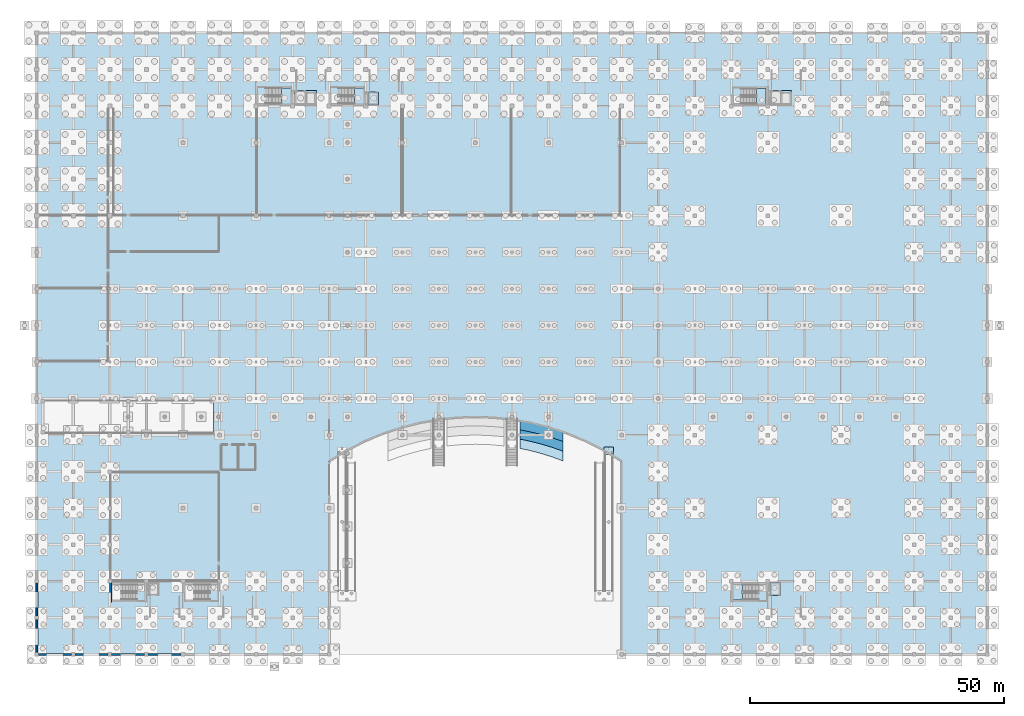
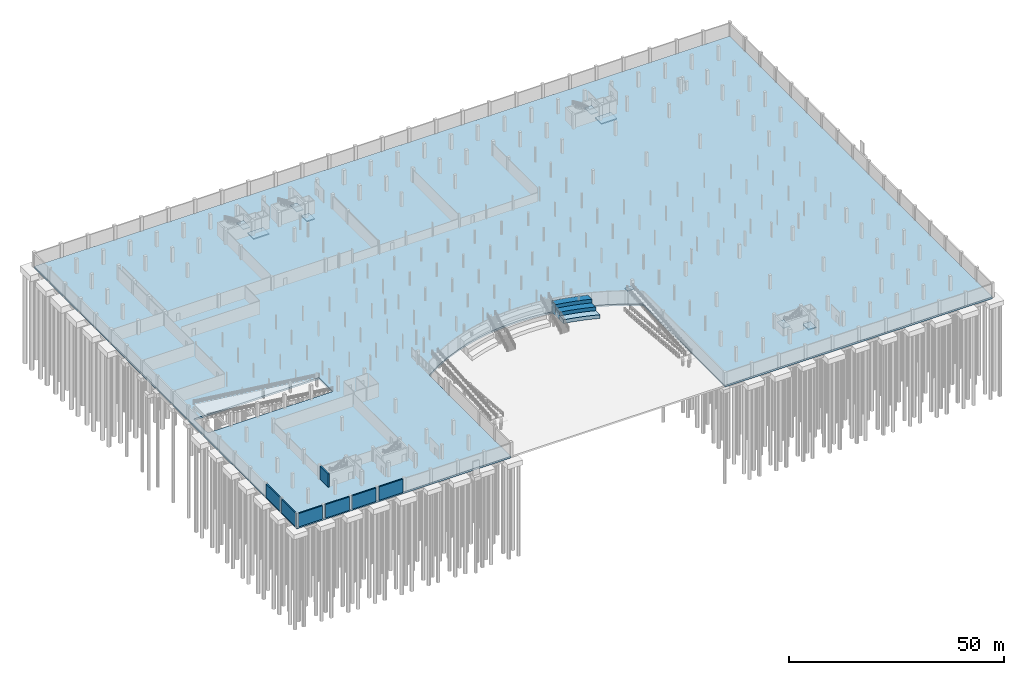
# One storey, part 38 of 56: 13 slabs, 7 walls, 5 elements without a shape of their own.
"""IFC4 building model written with IfcOpenShell, lengths in metres."""

from ifc_helpers import new_model, si_unit, direction, frame, frame_2d, origin, place, context, subcontext, project, spatial, polyline, rectangle, outline, extrude, material, layer, layer_set, type_object, element, aggregate, save


model = new_model("IFC4")

# Units and contexts
model_context = context("Model", 3, precision=1e-05, world=origin(), true_north=direction((0.0, 1.0)))
body_context = subcontext(model_context, "Body", "Model", "MODEL_VIEW")
ifc_project = project(units=[si_unit("LENGTHUNIT", "METRE"), si_unit("AREAUNIT", "SQUARE_METRE"), si_unit("VOLUMEUNIT", "CUBIC_METRE"), si_unit("PLANEANGLEUNIT", "RADIAN"), si_unit("MASSUNIT", "GRAM", prefix="KILO")], contexts=[model_context])

# Site, building, storey
site_placement = place(None, origin())
site = spatial("IfcSite", under=ifc_project, at=site_placement, CompositionType="ELEMENT")
building_placement = place(site_placement, origin())
building = spatial("IfcBuilding", under=site, at=building_placement, Name="Suanplinth Sawtooth Commons", CompositionType="ELEMENT")
storey_placement = place(building_placement, frame((0.0, 0.0, -4.199951171875)))
storey = spatial("IfcBuildingStorey", under=building, at=storey_placement, Name="B1", CompositionType="ELEMENT", Elevation=-4.199951171875)

# Slabs
ifc_material_1 = material(Name="Concrete C35/45", Category="concrete")
ifc_layer_1 = layer(ifc_material_1, 0.5, Name="Pile-supported basement base slab 500mm")
ifc_layer_set_1 = layer_set([ifc_layer_1], Name="Concrete C35/45")
slab_type_1 = type_object("IfcSlabType", Name="S-BS01", PredefinedType="BASESLAB", material=ifc_layer_set_1)
slab_1_placement = place(storey_placement, frame((0.0, 0.0, -0.5)))
element("IfcSlab", 1, at=slab_1_placement, inside=storey, type_object=slab_type_1, Name="Basement B1 Structural Base Slab", PredefinedType="BASESLAB", context=body_context, shape_type="SweptSolid", body=[
    extrude(outline(polyline([(0.0, 0.0), (57.60009765625, 0.0), (57.60009765625, 38.095947265625), (61.199951171875, 40.285888671875), (64.800048828125, 42.10205078125), (68.39990234375, 43.5849609375), (72.0, 44.76611328125), (75.60009765625, 45.666015625), (79.199951171875, 46.299072265625), (82.800048828125, 46.675048828125), (86.39990234375, 46.800048828125), (90.0, 46.675048828125), (93.60009765625, 46.299072265625), (97.199951171875, 45.666015625), (100.800048828125, 44.76611328125), (104.39990234375, 43.5849609375), (108.0, 42.10205078125), (111.60009765625, 40.285888671875), (115.199951171875, 38.095947265625), (115.199951171875, 0.0), (187.199951171875, 0.0), (187.199951171875, 122.39990234375), (0.0, 122.39990234375), (0.0, 0.0)]), holes=[polyline([(1.199951171875, 43.550048828125), (34.800048828125, 43.550048828125), (34.800048828125, 50.050048828125), (1.199951171875, 50.050048828125), (1.199951171875, 43.550048828125)])]), origin(), (0.0, 0.0, 1.0), 0.5),
])
ifc_layer_2 = layer(ifc_material_1, 0.449951171875, Name="Sunken metro forecourt external plaza slab 450mm")
ifc_layer_set_2 = layer_set([ifc_layer_2], Name="Concrete C35/45")
slab_type_2 = type_object("IfcSlabType", Name="S-BS03", PredefinedType="BASESLAB", material=ifc_layer_set_2)
slab_2_placement = place(storey_placement, origin())
element("IfcSlab", 2, at=slab_2_placement, inside=storey, type_object=slab_type_2, Name="Forecourt Amphitheatre Stepped Terrace Tier 1 E", PredefinedType="BASESLAB", context=body_context, shape_type="SweptSolid", body=[
    extrude(outline(polyline([(95.199951171875, 44.222900390625), (97.300048828125, 43.802001953125), (99.39990234375, 43.2880859375), (101.5, 42.675048828125), (103.60009765625, 41.9609375), (103.60009765625, 43.873046875), (101.5, 44.55908203125), (99.39990234375, 45.14892578125), (97.300048828125, 45.64501953125), (95.199951171875, 46.050048828125), (95.199951171875, 44.222900390625)])), origin(), (0.0, 0.0, 1.0), 3.14990234375),
])
slab_3_placement = place(storey_placement, origin())
element("IfcSlab", 3, at=slab_3_placement, inside=storey, type_object=slab_type_2, Name="Forecourt Amphitheatre Stepped Terrace Tier 2 E", PredefinedType="BASESLAB", context=body_context, shape_type="SweptSolid", body=[
    extrude(outline(polyline([(95.199951171875, 42.39306640625), (97.300048828125, 41.95703125), (99.39990234375, 41.4208984375), (101.5, 40.783935546875), (103.60009765625, 40.041015625), (103.60009765625, 41.9609375), (101.5, 42.675048828125), (99.39990234375, 43.2880859375), (97.300048828125, 43.802001953125), (95.199951171875, 44.222900390625), (95.199951171875, 42.39306640625)])), origin(), (0.0, 0.0, 1.0), 2.099853515625),
])
slab_4_placement = place(storey_placement, origin())
element("IfcSlab", 4, at=slab_4_placement, inside=storey, type_object=slab_type_2, Name="Forecourt Amphitheatre Stepped Terrace Tier 3 E", PredefinedType="BASESLAB", context=body_context, shape_type="SweptSolid", body=[
    extrude(outline(polyline([(95.199951171875, 40.56201171875), (97.300048828125, 40.10693359375), (99.39990234375, 39.550048828125), (101.5, 38.885986328125), (103.60009765625, 38.110107421875), (103.60009765625, 40.041015625), (101.5, 40.783935546875), (99.39990234375, 41.4208984375), (97.300048828125, 41.95703125), (95.199951171875, 42.39306640625), (95.199951171875, 40.56201171875)])), origin(), (0.0, 0.0, 1.0), 1.050048828125),
])

# Stair, slab
ifc_material_2 = material(Name="Concrete C40/50", Category="concrete")
stair_type_1 = type_object("IfcStairType", Name="ST-01", PredefinedType="USERDEFINED", material=ifc_material_2)
stair_1_placement = place(storey_placement, origin())
stair_1 = element("IfcStair", 5, at=stair_1_placement, inside=storey, type_object=stair_type_1, Name="B1 Exit Stair ST-N1", ObjectType="TWO_RETURN_STAIR", PredefinedType="USERDEFINED")
ifc_layer_3 = layer(ifc_material_2, 0.199951171875, Name="Reinforced concrete stair and ramp landing slab 200mm")
ifc_layer_set_3 = layer_set([ifc_layer_3], Name="Concrete C40/50")
slab_type_3 = type_object("IfcSlabType", Name="S-LD01", PredefinedType="LANDING", material=ifc_layer_set_3)
slab_5_placement = place(storey_placement, frame((0.0, 0.0, 1.89990234375)))
slab_5 = element("IfcSlab", 6, at=slab_5_placement, type_object=slab_type_3, Name="ST-01 landing 1", PredefinedType="LANDING", context=body_context, shape_type="SweptSolid", body=[
    extrude(outline(polyline([(48.18505859375, 108.449951171875), (50.050048828125, 108.449951171875), (50.050048828125, 111.550048828125), (48.18505859375, 111.550048828125), (48.18505859375, 108.449951171875)])), origin(), (0.0, 0.0, 1.0), 0.199951171875),
])
aggregate(stair_1, [slab_5])

stair_2_placement = place(storey_placement, origin())
stair_2 = element("IfcStair", 7, at=stair_2_placement, inside=storey, type_object=stair_type_1, Name="B1 Exit Stair ST-N2", ObjectType="TWO_RETURN_STAIR", PredefinedType="USERDEFINED")
slab_6_placement = place(storey_placement, frame((0.0, 0.0, 1.89990234375)))
slab_6 = element("IfcSlab", 8, at=slab_6_placement, type_object=slab_type_3, Name="ST-01 landing 1", PredefinedType="LANDING", context=body_context, shape_type="SweptSolid", body=[
    extrude(outline(polyline([(62.5849609375, 108.449951171875), (64.449951171875, 108.449951171875), (64.449951171875, 111.550048828125), (62.5849609375, 111.550048828125), (62.5849609375, 108.449951171875)])), origin(), (0.0, 0.0, 1.0), 0.199951171875),
])
aggregate(stair_2, [slab_6])

stair_type_2 = type_object("IfcStairType", Name="ST-05", PredefinedType="USERDEFINED", material=ifc_material_2)
stair_3_placement = place(storey_placement, origin())
stair_3 = element("IfcStair", 9, at=stair_3_placement, inside=storey, type_object=stair_type_2, Name="B1 Exit Stair ST-E1", ObjectType="TWO_RETURN_STAIR", PredefinedType="USERDEFINED")
slab_7_placement = place(storey_placement, frame((0.0, 0.0, 1.89990234375)))
slab_7 = element("IfcSlab", 10, at=slab_7_placement, type_object=slab_type_3, Name="ST-05 landing 1", PredefinedType="LANDING", context=body_context, shape_type="SweptSolid", body=[
    extrude(outline(polyline([(141.784912109375, 108.449951171875), (143.64990234375, 108.449951171875), (143.64990234375, 111.449951171875), (141.784912109375, 111.449951171875), (141.784912109375, 108.449951171875)])), origin(), (0.0, 0.0, 1.0), 0.199951171875),
])
aggregate(stair_3, [slab_7])

stair_4_placement = place(storey_placement, origin())
stair_4 = element("IfcStair", 11, at=stair_4_placement, inside=storey, type_object=stair_type_2, Name="B1 Exit Stair ST-S1", ObjectType="TWO_RETURN_STAIR", PredefinedType="USERDEFINED")
slab_8_placement = place(storey_placement, frame((0.0, 0.0, 1.89990234375)))
slab_8 = element("IfcSlab", 12, at=slab_8_placement, type_object=slab_type_3, Name="ST-05 landing 1", PredefinedType="LANDING", context=body_context, shape_type="SweptSolid", body=[
    extrude(outline(polyline([(139.014892578125, 13.75), (137.14990234375, 13.75), (137.14990234375, 10.75), (139.014892578125, 10.75), (139.014892578125, 13.75)])), origin(), (0.0, 0.0, 1.0), 0.199951171875),
])
aggregate(stair_4, [slab_8])

# Ramp, slab
ramp_type = type_object("IfcRampType", Name="RM-02", PredefinedType="STRAIGHT_RUN_RAMP", material=ifc_material_1)
ramp_placement = place(storey_placement, origin())
ramp = element("IfcRamp", 13, at=ramp_placement, inside=storey, type_object=ramp_type, Name="Sunken Forecourt Accessible Ramp AR-02", PredefinedType="STRAIGHT_RUN_RAMP")
ifc_layer_4 = layer(ifc_material_2, 0.18994140625, Name="Exterior reinforced concrete forecourt landing slab 190mm")
ifc_layer_set_4 = layer_set([ifc_layer_4], Name="Concrete C40/50")
slab_type_4 = type_object("IfcSlabType", Name="S-LD02", PredefinedType="LANDING", material=ifc_layer_set_4)
slab_9_placement = place(storey_placement, frame((0.0, 0.0, 4.010009765625)))
slab_9 = element("IfcSlab", 14, at=slab_9_placement, type_object=slab_type_4, Name="Accessible Ramp AR-02 Top Arrival Landing", PredefinedType="LANDING", context=body_context, shape_type="SweptSolid", body=[
    extrude(outline(polyline([(111.75, 39.338134765625), (113.550048828125, 39.338134765625), (113.550048828125, 40.838134765625), (111.75, 40.838134765625), (111.75, 39.338134765625)])), origin(), (0.0, 0.0, 1.0), 0.18994140625),
])
aggregate(ramp, [slab_9])

# Slabs
ifc_layer_5 = layer(ifc_material_1, 0.320068359375, Name="Waterproof reinforced concrete lift pit base slab 320mm")
ifc_layer_set_5 = layer_set([ifc_layer_5], Name="Concrete C35/45")
slab_type_5 = type_object("IfcSlabType", Name="S-PT01", PredefinedType="BASESLAB", material=ifc_layer_set_5)
slab_10_placement = place(storey_placement, frame((0.0, 0.0, -1.670166015625)))
element("IfcSlab", 15, at=slab_10_placement, inside=storey, type_object=slab_type_5, Name="Lift Pit Base Slab FL1-LF1", PredefinedType="BASESLAB", context=body_context, shape_type="SweptSolid", body=[
    extrude(outline(polyline([(50.800048828125, 108.199951171875), (55.050048828125, 108.199951171875), (55.050048828125, 111.10009765625), (50.800048828125, 111.10009765625), (50.800048828125, 108.199951171875)])), origin(), (0.0, 0.0, 1.0), 0.320068359375),
])
slab_11_placement = place(storey_placement, frame((0.0, 0.0, -1.670166015625)))
element("IfcSlab", 16, at=slab_11_placement, inside=storey, type_object=slab_type_5, Name="Lift Pit Base Slab LF2", PredefinedType="BASESLAB", context=body_context, shape_type="SweptSolid", body=[
    extrude(outline(polyline([(65.199951171875, 108.199951171875), (67.300048828125, 108.199951171875), (67.300048828125, 110.800048828125), (65.199951171875, 110.800048828125), (65.199951171875, 108.199951171875)])), origin(), (0.0, 0.0, 1.0), 0.320068359375),
])
slab_12_placement = place(storey_placement, frame((0.0, 0.0, -1.670166015625)))
element("IfcSlab", 17, at=slab_12_placement, inside=storey, type_object=slab_type_5, Name="Lift Pit Base Slab FL2-LF3", PredefinedType="BASESLAB", context=body_context, shape_type="SweptSolid", body=[
    extrude(outline(polyline([(144.39990234375, 108.199951171875), (148.64990234375, 108.199951171875), (148.64990234375, 111.10009765625), (144.39990234375, 111.10009765625), (144.39990234375, 108.199951171875)])), origin(), (0.0, 0.0, 1.0), 0.320068359375),
])
slab_13_placement = place(storey_placement, frame((0.0, 0.0, -1.670166015625)))
element("IfcSlab", 18, at=slab_13_placement, inside=storey, type_object=slab_type_5, Name="Lift Pit Base Slab LF5", PredefinedType="BASESLAB", context=body_context, shape_type="SweptSolid", body=[
    extrude(outline(polyline([(144.39990234375, 11.60009765625), (146.5, 11.60009765625), (146.5, 14.199951171875), (144.39990234375, 14.199951171875), (144.39990234375, 11.60009765625)])), origin(), (0.0, 0.0, 1.0), 0.320068359375),
])

# Walls
ifc_layer_6 = layer(ifc_material_2, 0.3798828125, Name="Lower high-rise RC core shear wall 380mm")
ifc_layer_set_6 = layer_set([ifc_layer_6], Name="Concrete C40/50")
wall_type_1 = type_object("IfcWallType", Name="W-CR01", PredefinedType="SHEAR", material=ifc_layer_set_6)
wall_placement = place(storey_placement, frame((14.56005859375, 10.3701171875, 0.0), z_axis=(0.0, 0.0, 1.0), x_axis=(0.0, 1.0, 0.0)))
element("IfcWall", 19, at=wall_placement, inside=storey, type_object=wall_type_1, Name="W-B1-C-D1-STW", PredefinedType="SHEAR", context=body_context, shape_type="SweptSolid", body=[
    extrude(rectangle(XDim=3.759765625, YDim=0.3798828125, at=frame_2d((1.8798828125, 0.0))), origin(), (0.0, 0.0, 1.0), 3.7900390625),
])
ifc_layer_7 = layer(ifc_material_1, 0.35009765625, Name="Basement perimeter RC retaining wall 350mm")
ifc_layer_set_7 = layer_set([ifc_layer_7], Name="Concrete C35/45")
wall_type_2 = type_object("IfcWallType", Name="W-RT01", PredefinedType="SOLIDWALL", material=ifc_layer_set_7)
for number, where, z_axis, x_axis, name in (
    (20, (0.35009765625, 0.0, 0.0), (0.0, 0.0, 1.0), (1.0, 0.0, 0.0), "Basement South Plinth Retaining Wall Bay 1"),
    (21, (7.550048828125, 0.0, 0.0), (0.0, 0.0, 1.0), (1.0, 0.0, 0.0), "Basement South Plinth Retaining Wall Bay 2"),
    (22, (14.75, 0.0, 0.0), (0.0, 0.0, 1.0), (1.0, 0.0, 0.0), "Basement South Plinth Retaining Wall Bay 3"),
    (23, (21.949951171875, 0.0, 0.0), (0.0, 0.0, 1.0), (1.0, 0.0, 0.0), "Basement South Plinth Retaining Wall Bay 4"),
    (24, (0.0, 0.35009765625, 0.0), (0.0, 0.0, 1.0), (0.0, 1.0, 0.0), "Basement West Plinth Retaining Wall Bay 1"),
    (25, (0.0, 7.550048828125, 0.0), (0.0, 0.0, 1.0), (0.0, 1.0, 0.0), "Basement West Plinth Retaining Wall Bay 2"),
):
    element("IfcWall", number, at=place(storey_placement, frame(where, z_axis=z_axis, x_axis=x_axis)), inside=storey, type_object=wall_type_2, Name=name, PredefinedType="SOLIDWALL", context=body_context, shape_type="SweptSolid", body=[
        extrude(rectangle(XDim=6.5, YDim=0.35009765625, at=frame_2d((3.25, 0.0))), origin(), (0.0, 0.0, 1.0), 3.800048828125),
    ])

save(model, "model.ifc")
